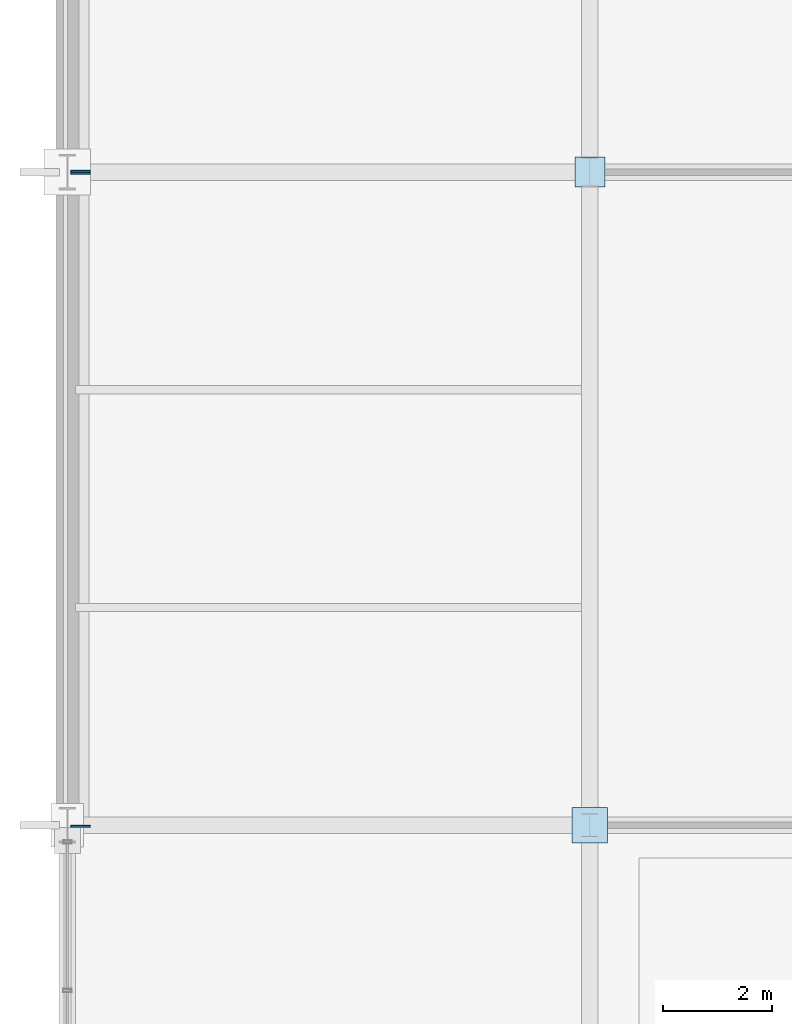
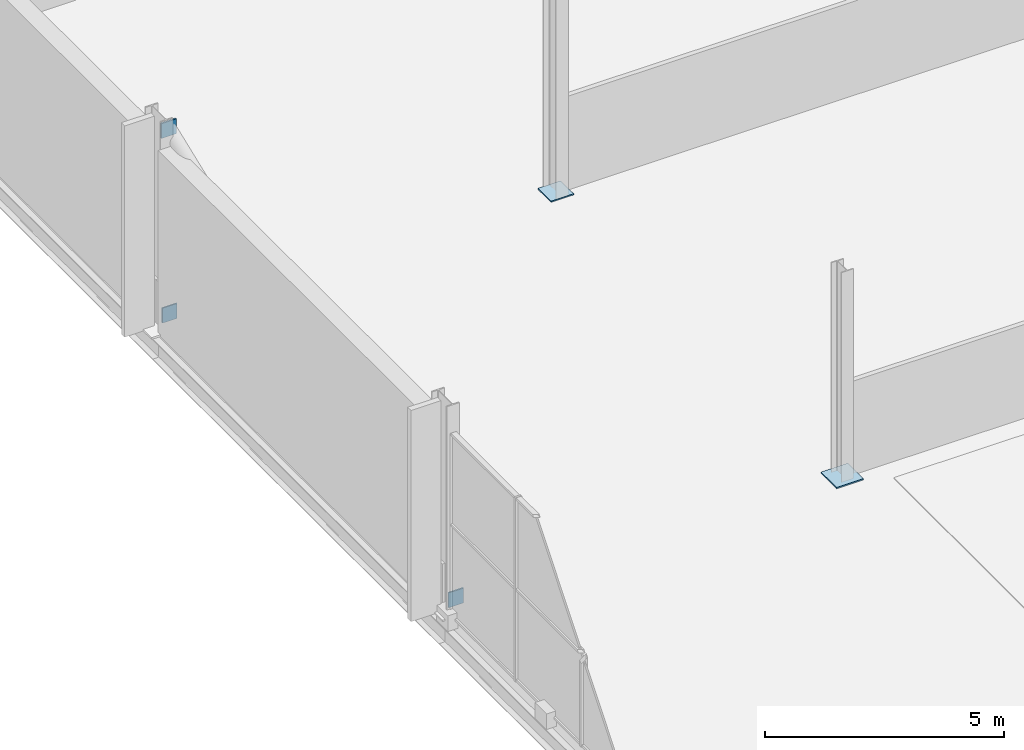
# One storey, part 160 of 196: 5 plates.
"""IFC4 building model written with IfcOpenShell, lengths in metres."""

from ifc_helpers import new_model, si_unit, direction, frame, origin, origin_2d, place, context, subcontext, project, spatial, rectangle, extrude, material, layer, layer_set, type_object, element, save


model = new_model("IFC4")

# Units and contexts
model_context = context("Model", 3, precision=1e-05, world=origin(), true_north=direction((0.0, 1.0)))
body_context = subcontext(model_context, "Body", "Model", "MODEL_VIEW")
ifc_project = project(units=[si_unit("LENGTHUNIT", "METRE"), si_unit("AREAUNIT", "SQUARE_METRE"), si_unit("VOLUMEUNIT", "CUBIC_METRE"), si_unit("PLANEANGLEUNIT", "RADIAN"), si_unit("MASSUNIT", "GRAM", prefix="KILO")], contexts=[model_context])

# Site, building, storey
site_placement = place(None, origin())
site = spatial("IfcSite", under=ifc_project, at=site_placement, CompositionType="ELEMENT")
building_placement = place(site_placement, origin())
building = spatial("IfcBuilding", under=site, at=building_placement, Name="Merenkruunu Market Hall", CompositionType="ELEMENT")
storey_placement = place(building_placement, origin())
storey = spatial("IfcBuildingStorey", under=building, at=storey_placement, Name="L00", CompositionType="ELEMENT", Elevation=0.0)

# Plates
ifc_material = material(Name="Steel S355ML", Category="steel")
ifc_layer_1 = layer(ifc_material, 0.034912109375)
ifc_layer_set_1 = layer_set([ifc_layer_1], Name="Steel S355ML")
plate_type_1 = type_object("IfcPlateType", Name="Column Base Plate BP03", PredefinedType="USERDEFINED", material=ifc_layer_set_1)
plate_1_placement = place(storey_placement, frame((9.60009765625, 75.60009765625, 0.0), z_axis=(0.0, 0.0, 1.0), x_axis=(1.0, 0.0, 0.0)))
element("IfcPlate", 1, at=plate_1_placement, inside=storey, type_object=plate_type_1, Name="PLT-BP-B-09", ObjectType="BASE_PLATE", PredefinedType="USERDEFINED", context=body_context, shape_type="SweptSolid", body=[
    extrude(rectangle(XDim=0.64990234375, YDim=0.64990234375, at=origin_2d()), origin(), (0.0, 0.0, 1.0), 0.034912109375),
])
ifc_layer_2 = layer(ifc_material, 0.030029296875)
ifc_layer_set_2 = layer_set([ifc_layer_2], Name="Steel S355ML")
plate_type_2 = type_object("IfcPlateType", Name="Column Base Plate BP04", PredefinedType="USERDEFINED", material=ifc_layer_set_2)
plate_2_placement = place(storey_placement, frame((9.60009765625, 87.60009765625, 0.0), z_axis=(0.0, 0.0, 1.0), x_axis=(1.0, 0.0, 0.0)))
element("IfcPlate", 2, at=plate_2_placement, inside=storey, type_object=plate_type_2, Name="PLT-BP-B-10", ObjectType="BASE_PLATE", PredefinedType="USERDEFINED", context=body_context, shape_type="SweptSolid", body=[
    extrude(rectangle(XDim=0.550048828125, YDim=0.550048828125, at=origin_2d()), origin(), (0.0, 0.0, 1.0), 0.030029296875),
])
ifc_layer_3 = layer(ifc_material, 0.035888671875)
ifc_layer_set_3 = layer_set([ifc_layer_3], Name="Steel S355ML")
plate_type_3 = type_object("IfcPlateType", Name="Truss Gusset Or Cap Plate CP08", PredefinedType="USERDEFINED", material=ifc_layer_set_3)
for number, where, z_axis, x_axis, name in (
    (3, (0.239990234375, 87.58203125, 0.010009765625), (0.0, 0.0, 1.0), (1.0, 0.0, 0.0), "PLT-CBF01-A"),
    (4, (0.239990234375, 75.58203125, 0.010009765625), (0.0, 0.0, 1.0), (1.0, 0.0, 0.0), "PLT-CBF02-A"),
    (5, (0.239990234375, 87.617919921875, 4.7099609375), (0.0, 0.0, 1.0), (1.0, 0.0, 0.0), "PLT-CBF02-B"),
):
    element("IfcPlate", number, at=place(storey_placement, frame(where, z_axis=z_axis, x_axis=x_axis)), inside=storey, type_object=plate_type_3, Name=name, ObjectType="GUSSET_PLATE", PredefinedType="USERDEFINED", context=body_context, shape_type="SweptSolid", body=[
        extrude(rectangle(XDim=0.360107421875, YDim=0.035888671875, at=origin_2d()), origin(), (0.0, 0.0, 1.0), 0.3798828125),
    ])

save(model, "model.ifc")
